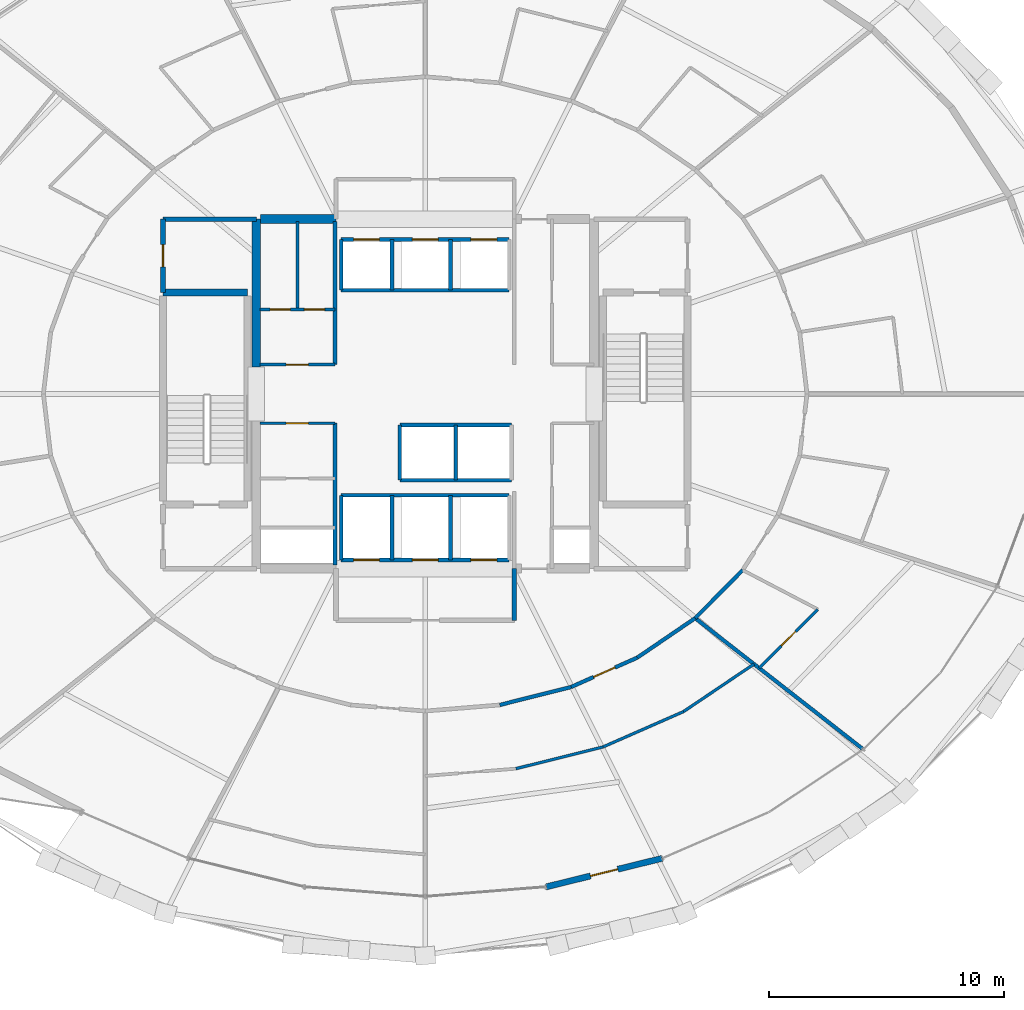
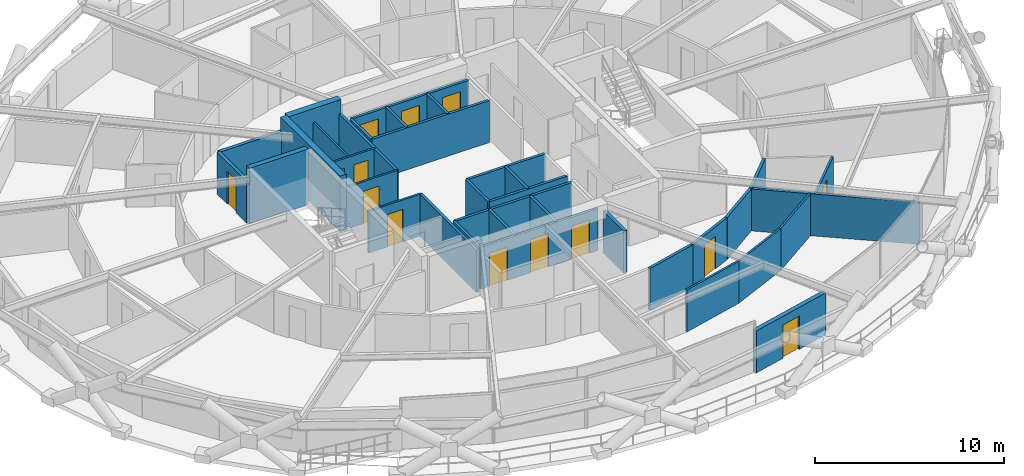
# One storey, part 15 of 21: 36 walls, 14 doors, 14 openings.
"""IFC4 building model written with IfcOpenShell, lengths in metres."""

import ifcopenshell
import ifcopenshell.guid

model = None  # the IFC model being written
_history = None  # IfcOwnerHistory: only IFC2X3 demands one
_inside = {}  # id of a spatial element -> (the spatial element, [elements in it])
_under = {}  # id of a project, library or spatial element -> (it, [spatial elements below it])
_declared = {}  # id of a project -> (the project, [libraries it declares])
_typed = {}  # id of a type object -> (the type object, [elements of that type])
_made_of = {}  # id of a material, layer set ... -> (it, [elements and type objects made of it])


def new_model(schema):
    """Start an empty IFC model of exactly this schema.

    Asked for "IFC4X3", IfcOpenShell would pick the latest addendum, in which some entities
    have other attributes; the version numbers below select the first issue.
    IFC2X3 requires an IfcOwnerHistory on every rooted entity: one is made here for all.
    """
    global model, _history
    if schema == "IFC4X3":
        model = ifcopenshell.file(schema_version=(4, 3, 0, 0))
    else:
        model = ifcopenshell.file(schema=schema)
    _inside.clear()
    _under.clear()
    _declared.clear()
    _typed.clear()
    _made_of.clear()
    _history = None
    if model.schema == "IFC2X3":
        org = make("IfcOrganization", Name="unknown")
        user = make(
            "IfcPersonAndOrganization",
            ThePerson=make("IfcPerson", FamilyName="unknown"),
            TheOrganization=org,
        )
        app = make(
            "IfcApplication",
            ApplicationDeveloper=org,
            Version="unknown",
            ApplicationFullName="unknown",
            ApplicationIdentifier="unknown",
        )
        _history = make(
            "IfcOwnerHistory",
            OwningUser=user,
            OwningApplication=app,
            ChangeAction="ADDED",
            CreationDate=0,
        )
    return model


def make(cls, **values):
    """One entity of the class cls with the attributes given. An attribute that is None is left unset."""
    return model.create_entity(
        cls, **{name: value for name, value in values.items() if value is not None}
    )


def rooted(cls, **values):
    """An entity with a GlobalId (a new one), such as an element, a storey or a relation."""
    return make(cls, GlobalId=ifcopenshell.guid.new(), OwnerHistory=_history, **values)


def si_unit(unit_type, name, prefix=None):
    """IfcSIUnit, for example si_unit("LENGTHUNIT", "METRE", prefix="MILLI")."""
    return make("IfcSIUnit", UnitType=unit_type, Prefix=prefix, Name=name)


def assignment(units):
    """IfcUnitAssignment: the units of a project."""
    return None if units is None else make("IfcUnitAssignment", Units=units)


def point(xyz):
    """IfcCartesianPoint."""
    return None if xyz is None else make("IfcCartesianPoint", Coordinates=xyz)


def direction(xyz):
    """IfcDirection."""
    return None if xyz is None else make("IfcDirection", DirectionRatios=xyz)


def frame(location, z_axis=None, x_axis=None):
    """IfcAxis2Placement3D, a coordinate frame: its origin and axes. An axis left out is left unset."""
    return make(
        "IfcAxis2Placement3D",
        Location=point(location),
        Axis=direction(z_axis),
        RefDirection=direction(x_axis),
    )


def frame_2d(location, x_axis=None):
    """IfcAxis2Placement2D, a coordinate frame in the plane: its origin and x axis."""
    return make(
        "IfcAxis2Placement2D", Location=point(location), RefDirection=direction(x_axis)
    )


def origin():
    """The frame at (0, 0, 0) with its axes left unset."""
    return frame((0.0, 0.0, 0.0))


def place(relative_to, where):
    """IfcLocalPlacement: puts the frame where relative to a parent placement (None: the world)."""
    return make(
        "IfcLocalPlacement", PlacementRelTo=relative_to, RelativePlacement=where
    )


def context(
    kind, dimensions, precision=None, world=None, true_north=None, identifier=None
):
    """IfcGeometricRepresentationContext, for example the 3D "Model" context."""
    return make(
        "IfcGeometricRepresentationContext",
        ContextIdentifier=identifier,
        ContextType=kind,
        CoordinateSpaceDimension=dimensions,
        Precision=precision,
        WorldCoordinateSystem=world,
        TrueNorth=true_north,
    )


def subcontext(parent, identifier, kind, view, scale=None):
    """IfcGeometricRepresentationSubContext, for example "Body" below "Model"."""
    return make(
        "IfcGeometricRepresentationSubContext",
        ContextIdentifier=identifier,
        ContextType=kind,
        ParentContext=parent,
        TargetScale=scale,
        TargetView=view,
    )


def project(units=None, contexts=None):
    """IfcProject with its units and contexts."""
    return rooted(
        "IfcProject",
        Name="project",
        RepresentationContexts=contexts,
        UnitsInContext=assignment(units),
    )


def spatial(cls, under=None, at=None, **own):
    """A site, building, storey or space (cls), placed at a placement, below another one or the project."""
    s = rooted(cls, ObjectPlacement=at, **own)
    if under is not None:
        _under.setdefault(under.id(), (under, []))[1].append(s)
    return s


def profile(cls, at=None, kind="AREA", **sizes):
    """A parametric profile (cls). Its sizes go by their IFC names, for example OverallWidth=200.0."""
    return make(cls, ProfileType=kind, Position=at, **sizes)


def rectangle(**sizes):
    """IfcRectangleProfileDef."""
    return profile("IfcRectangleProfileDef", **sizes)


def extrude(swept, where, along, depth):
    """IfcExtrudedAreaSolid: the profile swept, set in the frame where, extruded along a direction by depth."""
    return make(
        "IfcExtrudedAreaSolid",
        SweptArea=swept,
        Position=where,
        ExtrudedDirection=direction(along),
        Depth=depth,
    )


def shape(context_of_items, identifier, shape_type, items):
    """IfcShapeRepresentation: the items that make up one representation, for example the "Body"."""
    return make(
        "IfcShapeRepresentation",
        ContextOfItems=context_of_items,
        RepresentationIdentifier=identifier,
        RepresentationType=shape_type,
        Items=items,
    )


def material(Name=None, Category=None):
    """IfcMaterial."""
    return make("IfcMaterial", Name=Name, Category=Category)


def layer(
    of_material, thickness, ventilated=None, Name=None, Category=None, Priority=None
):
    """IfcMaterialLayer: one layer of a wall or slab, of a material (None: an air gap)."""
    return make(
        "IfcMaterialLayer",
        Material=of_material,
        LayerThickness=thickness,
        IsVentilated=ventilated,
        Name=Name,
        Category=Category,
        Priority=Priority,
    )


def layer_set(layers, Name=None):
    """IfcMaterialLayerSet."""
    return make("IfcMaterialLayerSet", MaterialLayers=layers, LayerSetName=Name)


def made_of(thing, what):
    """Note that an element or type object is made of a material, layer set ...; save() writes the relation."""
    if what is not None:
        _made_of.setdefault(what.id(), (what, []))[1].append(thing)
    return thing


def type_object(cls, material=None, **own):
    """A type object (cls), such as IfcWallType, which elements share."""
    return made_of(rooted(cls, **own), material)


def element(
    cls,
    number,
    at=None,
    inside=None,
    cuts=None,
    type_object=None,
    material=None,
    context=None,
    identifier="Body",
    shape_type=None,
    held_by="IfcProductDefinitionShape",
    body=None,
    shapes=None,
    **own,
):
    """One element of the class cls, such as IfcWall. Its Tag is "e" and its number.

    at: its placement. inside: the storey or other place that contains it. cuts: it is an
    opening in that element (IfcRelVoidsElement). A single representation is given by context,
    identifier, shape_type and body (its items); several are given by shapes. held_by: the class
    of the entity that holds the representations. save() writes the other relations.
    """
    e = rooted(cls, Tag="e%d" % number, ObjectPlacement=at, **own)
    if body is not None:
        shapes = [shape(context, identifier, shape_type, body)]
    if shapes is not None:
        e.Representation = make(held_by, Representations=shapes)
    if inside is not None:
        _inside.setdefault(inside.id(), (inside, []))[1].append(e)
    if cuts is not None:
        rooted(
            "IfcRelVoidsElement", RelatingBuildingElement=cuts, RelatedOpeningElement=e
        )
    if type_object is not None:
        _typed.setdefault(type_object.id(), (type_object, []))[1].append(e)
    return made_of(e, material)


def fill(opening, filler):
    """IfcRelFillsElement: the door or window that sits in an opening."""
    return rooted(
        "IfcRelFillsElement",
        RelatingOpeningElement=opening,
        RelatedBuildingElement=filler,
    )


def aggregate(whole, parts):
    """IfcRelAggregates: a whole, such as a stair, and the parts it consists of."""
    return rooted("IfcRelAggregates", RelatingObject=whole, RelatedObjects=parts)


def save(model, path):
    """Write the relations noted so far, then the file.

    IfcRelAggregates (storeys below a building ...), IfcRelContainedInSpatialStructure (elements
    in a storey), IfcRelDefinesByType, IfcRelAssociatesMaterial and IfcRelDeclares: one each for
    every whole, place, type object, material and project.
    """
    for whole, parts in _under.values():
        aggregate(whole, parts)
    for where, things in _inside.values():
        rooted(
            "IfcRelContainedInSpatialStructure",
            RelatedElements=things,
            RelatingStructure=where,
        )
    for kind, things in _typed.values():
        rooted("IfcRelDefinesByType", RelatedObjects=things, RelatingType=kind)
    for what, things in _made_of.values():
        rooted("IfcRelAssociatesMaterial", RelatedObjects=things, RelatingMaterial=what)
    for by, libraries in _declared.values():
        rooted("IfcRelDeclares", RelatingContext=by, RelatedDefinitions=libraries)
    model.write(path)


model = new_model("IFC4")

# Units and contexts
model_context = context("Model", 3, precision=1e-05, world=origin(), true_north=direction((0.0, 1.0)))
body_context = subcontext(model_context, "Body", "Model", "MODEL_VIEW")
ifc_project = project(units=[si_unit("LENGTHUNIT", "METRE"), si_unit("AREAUNIT", "SQUARE_METRE"), si_unit("VOLUMEUNIT", "CUBIC_METRE"), si_unit("PLANEANGLEUNIT", "RADIAN"), si_unit("MASSUNIT", "GRAM", prefix="KILO")], contexts=[model_context])

# Site, building, storey
site_placement = place(None, origin())
site = spatial("IfcSite", under=ifc_project, at=site_placement, CompositionType="ELEMENT")
building_placement = place(site_placement, origin())
building = spatial("IfcBuilding", under=site, at=building_placement, Name="Veldorina Hangang Commons", CompositionType="ELEMENT")
storey_placement = place(building_placement, frame((0.0, 0.0, 91.60009765625)))
storey = spatial("IfcBuildingStorey", under=building, at=storey_placement, Name="L23", CompositionType="ELEMENT", Elevation=91.60009765625)

# Walls
ifc_material_1 = material(Name="Concrete C70/85", Category="concrete")
ifc_layer_1 = layer(ifc_material_1, 0.3798828125)
ifc_layer_set_1 = layer_set([ifc_layer_1], Name="Concrete C70/85")
wall_type_1 = type_object("IfcWallType", Name="CW-RC380-C70", PredefinedType="SHEAR", material=ifc_layer_set_1)
wall_1_placement = place(storey_placement, frame((24.800048828125, 25.14990234375, 0.0), z_axis=(0.0, 0.0, 1.0), x_axis=(0.0, 1.0, 0.0)))
element("IfcWall", 1, at=wall_1_placement, inside=storey, type_object=wall_type_1, Name="L23 W north core shear wall", PredefinedType="SHEAR", context=body_context, shape_type="SweptSolid", body=[
    extrude(rectangle(XDim=6.300048828125, YDim=0.3798828125, at=frame_2d((3.14990234375, 0.0))), origin(), (0.0, 0.0, 1.0), 3.599853515625),
])
wall_2_placement = place(storey_placement, frame((24.989990234375, 31.449951171875, 0.0), z_axis=(0.0, 0.0, 1.0), x_axis=(1.0, 0.0, 0.0)))
element("IfcWall", 2, at=wall_2_placement, inside=storey, type_object=wall_type_1, Name="L23 north-west core shear wall", PredefinedType="SHEAR", context=body_context, shape_type="SweptSolid", body=[
    extrude(rectangle(XDim=3.2099609375, YDim=0.3798828125, at=frame_2d((1.60498046875, 0.0))), origin(), (0.0, 0.0, 1.0), 3.599853515625),
])

# Wall, opening, door
ifc_material_2 = material(Name="Stone Roman Travertine", Category="masonry")
ifc_layer_2 = layer(ifc_material_2, 0.260009765625)
ifc_layer_set_2 = layer_set([ifc_layer_2], Name="Stone Roman Travertine")
wall_type_2 = type_object("IfcWallType", Name="EW-LOGGIA-260", PredefinedType="STANDARD", material=ifc_layer_set_2)
wall_3_placement = place(storey_placement, frame((37.150634765625, 2.98681640625, 0.0), z_axis=(0.0, 0.0, 1.0), x_axis=(0.971022910957, 0.23898641467, 0.0)))
wall_3 = element("IfcWall", 3, at=wall_3_placement, inside=storey, type_object=wall_type_2, Name="L23 sky-garden loggia portal wall 25", PredefinedType="STANDARD", context=body_context, shape_type="SweptSolid", body=[
    extrude(rectangle(XDim=5.1005859375, YDim=0.260009765625, at=frame_2d((2.55029296875, 0.0))), origin(), (0.0, 0.0, 1.0), 2.7099609375),
])
opening_1_placement = place(wall_3_placement, frame((1.9501953125, 0.0, 0.0)))
opening_1 = element("IfcOpeningElement", 4, at=opening_1_placement, cuts=wall_3, Name="Opening BD-1200", PredefinedType="OPENING", context=body_context, shape_type="SweptSolid", body=[
    extrude(rectangle(XDim=1.199951171875, YDim=2.14990234375, at=frame_2d((0.60009765625, 1.074951171875))), frame((0.0, 0.14013671875, 0.0), z_axis=(0.0, -1.0, 0.0), x_axis=(1.0, 0.0, 0.0)), (0.0, 0.0, 1.0), 0.280029296875),
])
ifc_material_3 = material(Name="Glass Thermal Aluminium Frame", Category="aluminium")
door_type_1 = type_object("IfcDoorType", Name="DR-EXT-LOG1200", OperationType="SINGLE_SWING_LEFT", PredefinedType="DOOR", material=ifc_material_3)
door_1_placement = place(opening_1_placement, origin())
door_1 = element("IfcDoor", 5, at=door_1_placement, inside=storey, type_object=door_type_1, Name="L23 loggia glazed exterior door 25", OperationType="SINGLE_SWING_RIGHT", OverallHeight=2.14990234375, OverallWidth=1.199951171875, PredefinedType="DOOR", context=body_context, shape_type="SweptSolid", body=[
    extrude(rectangle(XDim=1.199951171875, YDim=2.14990234375, at=frame_2d((0.60009765625, 1.074951171875))), frame((0.0, 0.02490234375, 0.0), z_axis=(0.0, -1.0, 0.0), x_axis=(1.0, 0.0, 0.0)), (0.0, 0.0, 1.0), 0.050048828125),
])
fill(opening_1, door_1)

# Wall
ifc_material_4 = material(Name="Concrete C50/60", Category="concrete")
ifc_layer_3 = layer(ifc_material_4, 0.300048828125)
ifc_layer_set_3 = layer_set([ifc_layer_3], Name="Concrete C50/60")
wall_type_3 = type_object("IfcWallType", Name="SW-STAIR-300", PredefinedType="SHEAR", material=ifc_layer_set_3)
wall_4_placement = place(storey_placement, frame((20.820068359375, 28.320068359375, 0.0), z_axis=(0.0, 0.0, 1.0), x_axis=(1.0, 0.0, 0.0)))
element("IfcWall", 6, at=wall_4_placement, inside=storey, type_object=wall_type_3, Name="L23 ST1 north stair shear wall", PredefinedType="SHEAR", context=body_context, shape_type="SweptSolid", body=[
    extrude(rectangle(XDim=3.599853515625, YDim=0.300048828125, at=frame_2d((1.7998046875, 0.0))), origin(), (0.0, 0.0, 1.0), 3.599853515625),
])

# Wall, openings, doors
ifc_material_5 = material(Name="Gypsum Fire-Rated Twin Stud Wall", Category="gypsum")
ifc_layer_4 = layer(ifc_material_5, 0.159912109375)
ifc_layer_set_4 = layer_set([ifc_layer_4], Name="Gypsum Fire-Rated Twin Stud Wall")
wall_type_4 = type_object("IfcWallType", Name="WL-FIRE-160", PredefinedType="SOLIDWALL", material=ifc_layer_set_4)
wall_5_placement = place(storey_placement, frame((28.419921875, 30.580078125, 0.0), z_axis=(0.0, 0.0, 1.0), x_axis=(1.0, 0.0, 0.0)))
wall_5 = element("IfcWall", 7, at=wall_5_placement, inside=storey, type_object=wall_type_4, Name="L23 Low-bank front shaft wall 015", PredefinedType="SOLIDWALL", context=body_context, shape_type="SweptSolid", body=[
    extrude(rectangle(XDim=7.16015625, YDim=0.159912109375, at=frame_2d((3.580078125, 0.0))), origin(), (0.0, 0.0, 1.0), 2.7099609375),
])
opening_2_placement = place(wall_5_placement, frame((0.530029296875, 0.0, 0.0)))
opening_2 = element("IfcOpeningElement", 8, at=opening_2_placement, cuts=wall_5, Name="Opening LD-01", PredefinedType="OPENING", context=body_context, shape_type="SweptSolid", body=[
    extrude(rectangle(XDim=1.10009765625, YDim=2.14990234375, at=frame_2d((0.550048828125, 1.074951171875))), frame((0.0, 0.08984375, 0.0), z_axis=(0.0, -1.0, 0.0), x_axis=(1.0, 0.0, 0.0)), (0.0, 0.0, 1.0), 0.179931640625),
])
opening_3_placement = place(wall_5_placement, frame((3.030029296875, 0.0, 0.0)))
opening_3 = element("IfcOpeningElement", 9, at=opening_3_placement, cuts=wall_5, Name="Opening LD-01", PredefinedType="OPENING", context=body_context, shape_type="SweptSolid", body=[
    extrude(rectangle(XDim=1.10009765625, YDim=2.14990234375, at=frame_2d((0.550048828125, 1.074951171875))), frame((0.0, 0.08984375, 0.0), z_axis=(0.0, -1.0, 0.0), x_axis=(1.0, 0.0, 0.0)), (0.0, 0.0, 1.0), 0.179931640625),
])
opening_4_placement = place(wall_5_placement, frame((5.530029296875, 0.0, 0.0)))
opening_4 = element("IfcOpeningElement", 10, at=opening_4_placement, cuts=wall_5, Name="Opening LD-01", PredefinedType="OPENING", context=body_context, shape_type="SweptSolid", body=[
    extrude(rectangle(XDim=1.10009765625, YDim=2.14990234375, at=frame_2d((0.550048828125, 1.074951171875))), frame((0.0, 0.08984375, 0.0), z_axis=(0.0, -1.0, 0.0), x_axis=(1.0, 0.0, 0.0)), (0.0, 0.0, 1.0), 0.179931640625),
])
ifc_material_6 = material(Name="Stainless Steel Brushed Lift Door", Category="steel")
door_type_2 = type_object("IfcDoorType", Name="DR-LIFT-1100", OperationType="SLIDING_TO_LEFT", PredefinedType="DOOR", material=ifc_material_6)
door_2_placement = place(opening_2_placement, origin())
door_2 = element("IfcDoor", 11, at=door_2_placement, inside=storey, type_object=door_type_2, Name="L23 Lift PL-L1 landing door 006", OperationType="SLIDING_TO_LEFT", OverallHeight=2.14990234375, OverallWidth=1.10009765625, PredefinedType="DOOR", context=body_context, shape_type="SweptSolid", body=[
    extrude(rectangle(XDim=1.10009765625, YDim=2.14990234375, at=frame_2d((0.550048828125, 1.074951171875))), frame((0.0, 0.02490234375, 0.0), z_axis=(0.0, -1.0, 0.0), x_axis=(1.0, 0.0, 0.0)), (0.0, 0.0, 1.0), 0.050048828125),
])
fill(opening_2, door_2)
door_3_placement = place(opening_3_placement, origin())
door_3 = element("IfcDoor", 12, at=door_3_placement, inside=storey, type_object=door_type_2, Name="L23 Lift PL-L2 landing door 007", OperationType="SLIDING_TO_LEFT", OverallHeight=2.14990234375, OverallWidth=1.10009765625, PredefinedType="DOOR", context=body_context, shape_type="SweptSolid", body=[
    extrude(rectangle(XDim=1.10009765625, YDim=2.14990234375, at=frame_2d((0.550048828125, 1.074951171875))), frame((0.0, 0.02490234375, 0.0), z_axis=(0.0, -1.0, 0.0), x_axis=(1.0, 0.0, 0.0)), (0.0, 0.0, 1.0), 0.050048828125),
])
fill(opening_3, door_3)
door_4_placement = place(opening_4_placement, origin())
door_4 = element("IfcDoor", 13, at=door_4_placement, inside=storey, type_object=door_type_2, Name="L23 Lift PL-L3 landing door 008", OperationType="SLIDING_TO_LEFT", OverallHeight=2.14990234375, OverallWidth=1.10009765625, PredefinedType="DOOR", context=body_context, shape_type="SweptSolid", body=[
    extrude(rectangle(XDim=1.10009765625, YDim=2.14990234375, at=frame_2d((0.550048828125, 1.074951171875))), frame((0.0, 0.02490234375, 0.0), z_axis=(0.0, -1.0, 0.0), x_axis=(1.0, 0.0, 0.0)), (0.0, 0.0, 1.0), 0.050048828125),
])
fill(opening_4, door_4)

# Walls
wall_6_placement = place(storey_placement, frame((28.419921875, 28.419921875, 0.0), z_axis=(0.0, 0.0, 1.0), x_axis=(1.0, 0.0, 0.0)))
element("IfcWall", 14, at=wall_6_placement, inside=storey, type_object=wall_type_4, Name="L23 Low-bank rear shaft wall 016", PredefinedType="SOLIDWALL", context=body_context, shape_type="SweptSolid", body=[
    extrude(rectangle(XDim=7.16015625, YDim=0.159912109375, at=frame_2d((3.580078125, 0.0))), origin(), (0.0, 0.0, 1.0), 2.7099609375),
])
for number, where, z_axis, x_axis, name in (
    (15, (28.419921875, 28.419921875, 0.0), (0.0, 0.0, 1.0), (0.0, 1.0, 0.0), "L23 PL-L1 west shaft wall 017"),
    (16, (30.580078125, 28.419921875, 0.0), (0.0, 0.0, 1.0), (0.0, 1.0, 0.0), "L23 PL-L1 east shaft wall 018"),
    (17, (33.080078125, 28.419921875, 0.0), (0.0, 0.0, 1.0), (0.0, 1.0, 0.0), "L23 PL-L2 east shaft wall 019"),
):
    element("IfcWall", number, at=place(storey_placement, frame(where, z_axis=z_axis, x_axis=x_axis)), inside=storey, type_object=wall_type_4, Name=name, PredefinedType="SOLIDWALL", context=body_context, shape_type="SweptSolid", body=[
        extrude(rectangle(XDim=2.16015625, YDim=0.159912109375, at=frame_2d((1.080078125, 0.0))), origin(), (0.0, 0.0, 1.0), 2.7099609375),
    ])
for number, where, z_axis, x_axis, name in (
    (18, (30.919921875, 22.679931640625, 0.0), (0.0, 0.0, 1.0), (1.0, 0.0, 0.0), "L23 Shuttle-high front shaft wall 021"),
    (19, (30.919921875, 20.320068359375, 0.0), (0.0, 0.0, 1.0), (1.0, 0.0, 0.0), "L23 Shuttle-high rear shaft wall 022"),
):
    element("IfcWall", number, at=place(storey_placement, frame(where, z_axis=z_axis, x_axis=x_axis)), inside=storey, type_object=wall_type_4, Name=name, PredefinedType="SOLIDWALL", context=body_context, shape_type="SweptSolid", body=[
        extrude(rectangle(XDim=4.760009765625, YDim=0.159912109375, at=frame_2d((2.3798828125, 0.0))), origin(), (0.0, 0.0, 1.0), 2.7099609375),
    ])
for number, where, z_axis, x_axis, name in (
    (20, (30.919921875, 20.320068359375, 0.0), (0.0, 0.0, 1.0), (0.0, 1.0, 0.0), "L23 SL-1 west shaft wall 023"),
    (21, (33.300048828125, 20.320068359375, 0.0), (0.0, 0.0, 1.0), (0.0, 1.0, 0.0), "L23 SL-1 east shaft wall 024"),
):
    element("IfcWall", number, at=place(storey_placement, frame(where, z_axis=z_axis, x_axis=x_axis)), inside=storey, type_object=wall_type_4, Name=name, PredefinedType="SOLIDWALL", context=body_context, shape_type="SweptSolid", body=[
        extrude(rectangle(XDim=2.35986328125, YDim=0.159912109375, at=frame_2d((1.179931640625, 0.0))), origin(), (0.0, 0.0, 1.0), 2.7099609375),
    ])

# Wall, openings, doors
wall_7_placement = place(storey_placement, frame((28.419921875, 16.919921875, 0.0), z_axis=(0.0, 0.0, 1.0), x_axis=(1.0, 0.0, 0.0)))
wall_7 = element("IfcWall", 22, at=wall_7_placement, inside=storey, type_object=wall_type_4, Name="L23 Emergency front shaft wall 026", PredefinedType="SOLIDWALL", context=body_context, shape_type="SweptSolid", body=[
    extrude(rectangle(XDim=7.16015625, YDim=0.159912109375, at=frame_2d((3.580078125, 0.0))), origin(), (0.0, 0.0, 1.0), 2.7099609375),
])
opening_5_placement = place(wall_7_placement, frame((0.530029296875, 0.0, 0.0)))
opening_5 = element("IfcOpeningElement", 23, at=opening_5_placement, cuts=wall_7, Name="Opening LD-03", PredefinedType="OPENING", context=body_context, shape_type="SweptSolid", body=[
    extrude(rectangle(XDim=1.10009765625, YDim=2.14990234375, at=frame_2d((0.550048828125, 1.074951171875))), frame((0.0, 0.08984375, 0.0), z_axis=(0.0, -1.0, 0.0), x_axis=(1.0, 0.0, 0.0)), (0.0, 0.0, 1.0), 0.179931640625),
])
opening_6_placement = place(wall_7_placement, frame((3.030029296875, 0.0, 0.0)))
opening_6 = element("IfcOpeningElement", 24, at=opening_6_placement, cuts=wall_7, Name="Opening LD-03", PredefinedType="OPENING", context=body_context, shape_type="SweptSolid", body=[
    extrude(rectangle(XDim=1.10009765625, YDim=2.14990234375, at=frame_2d((0.550048828125, 1.074951171875))), frame((0.0, 0.08984375, 0.0), z_axis=(0.0, -1.0, 0.0), x_axis=(1.0, 0.0, 0.0)), (0.0, 0.0, 1.0), 0.179931640625),
])
opening_7_placement = place(wall_7_placement, frame((5.530029296875, 0.0, 0.0)))
opening_7 = element("IfcOpeningElement", 25, at=opening_7_placement, cuts=wall_7, Name="Opening LD-03", PredefinedType="OPENING", context=body_context, shape_type="SweptSolid", body=[
    extrude(rectangle(XDim=1.10009765625, YDim=2.14990234375, at=frame_2d((0.550048828125, 1.074951171875))), frame((0.0, 0.08984375, 0.0), z_axis=(0.0, -1.0, 0.0), x_axis=(1.0, 0.0, 0.0)), (0.0, 0.0, 1.0), 0.179931640625),
])
ifc_material_7 = material(Name="Stainless Steel Firefighting Lift Door", Category="steel")
door_type_3 = type_object("IfcDoorType", Name="DR-LIFT-FF1100", OperationType="SLIDING_TO_RIGHT", PredefinedType="DOOR", material=ifc_material_7)
door_5_placement = place(opening_5_placement, origin())
door_5 = element("IfcDoor", 26, at=door_5_placement, inside=storey, type_object=door_type_3, Name="L23 Emergency lift FFL-1 landing door 009", OperationType="SLIDING_TO_RIGHT", OverallHeight=2.14990234375, OverallWidth=1.10009765625, PredefinedType="DOOR", context=body_context, shape_type="SweptSolid", body=[
    extrude(rectangle(XDim=1.10009765625, YDim=2.14990234375, at=frame_2d((0.550048828125, 1.074951171875))), frame((0.0, 0.02490234375, 0.0), z_axis=(0.0, -1.0, 0.0), x_axis=(1.0, 0.0, 0.0)), (0.0, 0.0, 1.0), 0.050048828125),
])
fill(opening_5, door_5)
door_6_placement = place(opening_6_placement, origin())
door_6 = element("IfcDoor", 27, at=door_6_placement, inside=storey, type_object=door_type_3, Name="L23 Emergency lift FFL-2 landing door 010", OperationType="SLIDING_TO_RIGHT", OverallHeight=2.14990234375, OverallWidth=1.10009765625, PredefinedType="DOOR", context=body_context, shape_type="SweptSolid", body=[
    extrude(rectangle(XDim=1.10009765625, YDim=2.14990234375, at=frame_2d((0.550048828125, 1.074951171875))), frame((0.0, 0.02490234375, 0.0), z_axis=(0.0, -1.0, 0.0), x_axis=(1.0, 0.0, 0.0)), (0.0, 0.0, 1.0), 0.050048828125),
])
fill(opening_6, door_6)
door_7_placement = place(opening_7_placement, origin())
door_7 = element("IfcDoor", 28, at=door_7_placement, inside=storey, type_object=door_type_3, Name="L23 Emergency lift EVL-1 landing door 011", OperationType="SLIDING_TO_RIGHT", OverallHeight=2.14990234375, OverallWidth=1.10009765625, PredefinedType="DOOR", context=body_context, shape_type="SweptSolid", body=[
    extrude(rectangle(XDim=1.10009765625, YDim=2.14990234375, at=frame_2d((0.550048828125, 1.074951171875))), frame((0.0, 0.02490234375, 0.0), z_axis=(0.0, -1.0, 0.0), x_axis=(1.0, 0.0, 0.0)), (0.0, 0.0, 1.0), 0.050048828125),
])
fill(opening_7, door_7)

# Walls
wall_8_placement = place(storey_placement, frame((28.419921875, 19.679931640625, 0.0), z_axis=(0.0, 0.0, 1.0), x_axis=(1.0, 0.0, 0.0)))
element("IfcWall", 29, at=wall_8_placement, inside=storey, type_object=wall_type_4, Name="L23 Emergency rear shaft wall 027", PredefinedType="SOLIDWALL", context=body_context, shape_type="SweptSolid", body=[
    extrude(rectangle(XDim=7.16015625, YDim=0.159912109375, at=frame_2d((3.580078125, 0.0))), origin(), (0.0, 0.0, 1.0), 2.7099609375),
])
for number, where, z_axis, x_axis, name in (
    (30, (28.419921875, 16.919921875, 0.0), (0.0, 0.0, 1.0), (0.0, 1.0, 0.0), "L23 FFL-1 west shaft wall 028"),
    (31, (30.580078125, 16.919921875, 0.0), (0.0, 0.0, 1.0), (0.0, 1.0, 0.0), "L23 FFL-1 east shaft wall 029"),
    (32, (33.080078125, 16.919921875, 0.0), (0.0, 0.0, 1.0), (0.0, 1.0, 0.0), "L23 FFL-2 east shaft wall 030"),
):
    element("IfcWall", number, at=place(storey_placement, frame(where, z_axis=z_axis, x_axis=x_axis)), inside=storey, type_object=wall_type_4, Name=name, PredefinedType="SOLIDWALL", context=body_context, shape_type="SweptSolid", body=[
        extrude(rectangle(XDim=2.760009765625, YDim=0.159912109375, at=frame_2d((1.3798828125, 0.0))), origin(), (0.0, 0.0, 1.0), 2.7099609375),
    ])
wall_9_placement = place(storey_placement, frame((28.14990234375, 16.699951171875, 0.0), z_axis=(0.0, 0.0, 1.0), x_axis=(0.0, 1.0, 0.0)))
element("IfcWall", 33, at=wall_9_placement, inside=storey, type_object=wall_type_4, Name="L23 SW core inner wall 036", PredefinedType="SOLIDWALL", context=body_context, shape_type="SweptSolid", body=[
    extrude(rectangle(XDim=6.050048828125, YDim=0.159912109375, at=frame_2d((3.02490234375, 0.0))), origin(), (0.0, 0.0, 1.0), 2.7099609375),
])
wall_10_placement = place(storey_placement, frame((28.14990234375, 25.25, 0.0), z_axis=(0.0, 0.0, 1.0), x_axis=(0.0, 1.0, 0.0)))
element("IfcWall", 34, at=wall_10_placement, inside=storey, type_object=wall_type_4, Name="L23 NW core inner wall 038", PredefinedType="SOLIDWALL", context=body_context, shape_type="SweptSolid", body=[
    extrude(rectangle(XDim=6.10009765625, YDim=0.159912109375, at=frame_2d((3.050048828125, 0.0))), origin(), (0.0, 0.0, 1.0), 2.7099609375),
])
wall_11_placement = place(storey_placement, frame((35.1748046875, 10.74169921875, 0.0), z_axis=(0.0, 0.0, 1.0), x_axis=(0.969689238064, 0.244341526521, 0.0)))
element("IfcWall", 35, at=wall_11_placement, inside=storey, type_object=wall_type_4, Name="L23 Corridor outer wall 25 073", PredefinedType="SOLIDWALL", context=body_context, shape_type="SweptSolid", body=[
    extrude(rectangle(XDim=3.1484375, YDim=0.159912109375, at=frame_2d((1.57421875, 0.0))), origin(), (0.0, 0.0, 1.0), 2.7099609375),
])

# Wall, opening, door
wall_12_placement = place(storey_placement, frame((38.227783203125, 11.510986328125, 0.0), z_axis=(0.0, 0.0, 1.0), x_axis=(0.913952123493, 0.405822024984, 0.0)))
wall_12 = element("IfcWall", 36, at=wall_12_placement, inside=storey, type_object=wall_type_4, Name="L23 Corridor outer wall 26 074", PredefinedType="SOLIDWALL", context=body_context, shape_type="SweptSolid", body=[
    extrude(rectangle(XDim=3.078369140625, YDim=0.159912109375, at=frame_2d((1.5390625, 0.0))), origin(), (0.0, 0.0, 1.0), 2.7099609375),
])
opening_8_placement = place(wall_12_placement, frame((1.039306640625, 0.0, 0.0)))
opening_8 = element("IfcOpeningElement", 37, at=opening_8_placement, cuts=wall_12, Name="Opening D-05", PredefinedType="OPENING", context=body_context, shape_type="SweptSolid", body=[
    extrude(rectangle(XDim=1.0, YDim=2.10009765625, at=frame_2d((0.5, 1.050048828125))), frame((0.0, 0.08984375, 0.0), z_axis=(0.0, -1.0, 0.0), x_axis=(1.0, 0.0, 0.0)), (0.0, 0.0, 1.0), 0.179931640625),
])
ifc_material_8 = material(Name="Timber Solid Core Acoustic", Category="wood")
door_type_4 = type_object("IfcDoorType", Name="DR-INT-1000", OperationType="SINGLE_SWING_RIGHT", PredefinedType="DOOR", material=ifc_material_8)
door_8_placement = place(opening_8_placement, origin())
door_8 = element("IfcDoor", 38, at=door_8_placement, inside=storey, type_object=door_type_4, Name="L23 Commons alcove door 020", OperationType="SINGLE_SWING_RIGHT", OverallHeight=2.10009765625, OverallWidth=1.0, PredefinedType="DOOR", context=body_context, shape_type="SweptSolid", body=[
    extrude(rectangle(XDim=1.0, YDim=2.10009765625, at=frame_2d((0.5, 1.050048828125))), frame((0.0, 0.02490234375, 0.0), z_axis=(0.0, -1.0, 0.0), x_axis=(1.0, 0.0, 0.0)), (0.0, 0.0, 1.0), 0.050048828125),
])
fill(opening_8, door_8)

# Walls
wall_13_placement = place(storey_placement, frame((41.041259765625, 12.76025390625, 0.0), z_axis=(0.0, 0.0, 1.0), x_axis=(0.826293096206, 0.56324037423, 0.0)))
element("IfcWall", 39, at=wall_13_placement, inside=storey, type_object=wall_type_4, Name="L23 Corridor outer wall 27 075", PredefinedType="SOLIDWALL", context=body_context, shape_type="SweptSolid", body=[
    extrude(rectangle(XDim=2.98486328125, YDim=0.159912109375, at=frame_2d((1.492431640625, 0.0))), origin(), (0.0, 0.0, 1.0), 2.7099609375),
])
wall_14_placement = place(storey_placement, frame((43.507568359375, 14.44140625, 0.0), z_axis=(0.0, 0.0, 1.0), x_axis=(0.702811997, 0.711375636969, 0.0)))
element("IfcWall", 40, at=wall_14_placement, inside=storey, type_object=wall_type_4, Name="L23 Corridor outer wall 28 076", PredefinedType="SOLIDWALL", context=body_context, shape_type="SweptSolid", body=[
    extrude(rectangle(XDim=2.87939453125, YDim=0.159912109375, at=frame_2d((1.439697265625, 0.0))), origin(), (0.0, 0.0, 1.0), 2.7099609375),
])
wall_15_placement = place(storey_placement, frame((43.507568359375, 14.44140625, 0.0), z_axis=(0.0, 0.0, 1.0), x_axis=(0.788218918979, -0.615394942914, 0.0)))
element("IfcWall", 41, at=wall_15_placement, inside=storey, type_object=wall_type_4, Name="L23 Unit party wall 28 085", PredefinedType="SOLIDWALL", context=body_context, shape_type="SweptSolid", body=[
    extrude(rectangle(XDim=9.035400390625, YDim=0.159912109375, at=frame_2d((4.517578125, 0.0))), origin(), (0.0, 0.0, 1.0), 2.7099609375),
])

# Wall, opening, door
ifc_material_9 = material(Name="Concrete Blockwork Fire Wall C30/37", Category="masonry")
ifc_layer_5 = layer(ifc_material_9, 0.199951171875)
ifc_layer_set_5 = layer_set([ifc_layer_5], Name="Concrete Blockwork Fire Wall C30/37")
wall_type_5 = type_object("IfcWallType", Name="WL-FIRE-200", PredefinedType="SOLIDWALL", material=ifc_layer_set_5)
wall_16_placement = place(storey_placement, frame((20.820068359375, 28.320068359375, 0.0), z_axis=(0.0, 0.0, 1.0), x_axis=(0.0, 1.0, 0.0)))
wall_16 = element("IfcWall", 42, at=wall_16_placement, inside=storey, type_object=wall_type_5, Name="L23 NW core room outer wall 005", PredefinedType="SOLIDWALL", context=body_context, shape_type="SweptSolid", body=[
    extrude(rectangle(XDim=3.1298828125, YDim=0.199951171875, at=frame_2d((1.56494140625, 0.0))), origin(), (0.0, 0.0, 1.0), 2.7099609375),
])
opening_9_placement = place(wall_16_placement, frame((1.090087890625, 0.0, 0.0)))
opening_9 = element("IfcOpeningElement", 43, at=opening_9_placement, cuts=wall_16, Name="Opening D-04", PredefinedType="OPENING", context=body_context, shape_type="SweptSolid", body=[
    extrude(rectangle(XDim=0.949951171875, YDim=2.10009765625, at=frame_2d((0.47509765625, 1.050048828125))), frame((0.0, 0.10986328125, 0.0), z_axis=(0.0, -1.0, 0.0), x_axis=(1.0, 0.0, 0.0)), (0.0, 0.0, 1.0), 0.219970703125),
])
ifc_material_10 = material(Name="Timber Accessible Flush Leaf", Category="wood")
door_type_5 = type_object("IfcDoorType", Name="DR-ACC-950", OperationType="SINGLE_SWING_LEFT", PredefinedType="DOOR", material=ifc_material_10)
door_9_placement = place(opening_9_placement, origin())
door_9 = element("IfcDoor", 44, at=door_9_placement, inside=storey, type_object=door_type_5, Name="L23 NW core WC door 003", OperationType="SINGLE_SWING_LEFT", OverallHeight=2.10009765625, OverallWidth=0.949951171875, PredefinedType="DOOR", context=body_context, shape_type="SweptSolid", body=[
    extrude(rectangle(XDim=0.949951171875, YDim=2.10009765625, at=frame_2d((0.47509765625, 1.050048828125))), frame((0.0, 0.02490234375, 0.0), z_axis=(0.0, -1.0, 0.0), x_axis=(1.0, 0.0, 0.0)), (0.0, 0.0, 1.0), 0.050048828125),
])
fill(opening_9, door_9)

# Walls
wall_17_placement = place(storey_placement, frame((20.820068359375, 31.449951171875, 0.0), z_axis=(0.0, 0.0, 1.0), x_axis=(1.0, 0.0, 0.0)))
element("IfcWall", 45, at=wall_17_placement, inside=storey, type_object=wall_type_5, Name="L23 NW core room north wall 006", PredefinedType="SOLIDWALL", context=body_context, shape_type="SweptSolid", body=[
    extrude(rectangle(XDim=3.97998046875, YDim=0.199951171875, at=frame_2d((1.989990234375, 0.0))), origin(), (0.0, 0.0, 1.0), 2.7099609375),
])
wall_18_placement = place(storey_placement, frame((35.800048828125, 14.35009765625, 0.0), z_axis=(0.0, 0.0, 1.0), x_axis=(0.0, 1.0, 0.0)))
element("IfcWall", 46, at=wall_18_placement, inside=storey, type_object=wall_type_5, Name="L23 FF lobby east wall 013", PredefinedType="SOLIDWALL", context=body_context, shape_type="SweptSolid", body=[
    extrude(rectangle(XDim=2.199951171875, YDim=0.199951171875, at=frame_2d((1.10009765625, 0.0))), origin(), (0.0, 0.0, 1.0), 2.7099609375),
])

# Wall, opening, door
ifc_material_11 = material(Name="Gypsum Acoustic Stud Partition", Category="gypsum")
ifc_layer_6 = layer(ifc_material_11, 0.1201171875)
ifc_layer_set_6 = layer_set([ifc_layer_6], Name="Gypsum Acoustic Stud Partition")
wall_type_6 = type_object("IfcWallType", Name="WL-PART-120", PredefinedType="PARTITIONING", material=ifc_layer_set_6)
wall_19_placement = place(storey_placement, frame((24.949951171875, 25.25, 0.0), z_axis=(0.0, 0.0, 1.0), x_axis=(1.0, 0.0, 0.0)))
wall_19 = element("IfcWall", 47, at=wall_19_placement, inside=storey, type_object=wall_type_6, Name="L23 NW service south wall 039", PredefinedType="PARTITIONING", context=body_context, shape_type="SweptSolid", body=[
    extrude(rectangle(XDim=3.199951171875, YDim=0.1201171875, at=frame_2d((1.60009765625, 0.0))), origin(), (0.0, 0.0, 1.0), 2.7099609375),
])
opening_10_placement = place(wall_19_placement, frame((1.125, 0.0, 0.0)))
opening_10 = element("IfcOpeningElement", 48, at=opening_10_placement, cuts=wall_19, Name="Opening D-02", PredefinedType="OPENING", context=body_context, shape_type="SweptSolid", body=[
    extrude(rectangle(XDim=0.949951171875, YDim=2.10009765625, at=frame_2d((0.47509765625, 1.050048828125))), frame((0.0, 0.070068359375, 0.0), z_axis=(0.0, -1.0, 0.0), x_axis=(1.0, 0.0, 0.0)), (0.0, 0.0, 1.0), 0.14013671875),
])
door_type_6 = type_object("IfcDoorType", Name="DR-INT-950", OperationType="SINGLE_SWING_LEFT", PredefinedType="DOOR", material=ifc_material_8)
door_10_placement = place(opening_10_placement, origin())
door_10 = element("IfcDoor", 49, at=door_10_placement, inside=storey, type_object=door_type_6, Name="L23 Utility vestibule door 013", OperationType="SINGLE_SWING_LEFT", OverallHeight=2.10009765625, OverallWidth=0.949951171875, PredefinedType="DOOR", context=body_context, shape_type="SweptSolid", body=[
    extrude(rectangle(XDim=0.949951171875, YDim=2.10009765625, at=frame_2d((0.47509765625, 1.050048828125))), frame((0.0, 0.02490234375, 0.0), z_axis=(0.0, -1.0, 0.0), x_axis=(1.0, 0.0, 0.0)), (0.0, 0.0, 1.0), 0.050048828125),
])
fill(opening_10, door_10)

wall_20_placement = place(storey_placement, frame((24.949951171875, 22.75, 0.0), z_axis=(0.0, 0.0, 1.0), x_axis=(1.0, 0.0, 0.0)))
wall_20 = element("IfcWall", 50, at=wall_20_placement, inside=storey, type_object=wall_type_6, Name="L23 SW service north wall 040", PredefinedType="PARTITIONING", context=body_context, shape_type="SweptSolid", body=[
    extrude(rectangle(XDim=3.199951171875, YDim=0.1201171875, at=frame_2d((1.60009765625, 0.0))), origin(), (0.0, 0.0, 1.0), 2.7099609375),
])
opening_11_placement = place(wall_20_placement, frame((1.125, 0.0, 0.0)))
opening_11 = element("IfcOpeningElement", 51, at=opening_11_placement, cuts=wall_20, Name="Opening D-02", PredefinedType="OPENING", context=body_context, shape_type="SweptSolid", body=[
    extrude(rectangle(XDim=0.949951171875, YDim=2.10009765625, at=frame_2d((0.47509765625, 1.050048828125))), frame((0.0, 0.070068359375, 0.0), z_axis=(0.0, -1.0, 0.0), x_axis=(1.0, 0.0, 0.0)), (0.0, 0.0, 1.0), 0.14013671875),
])
door_11_placement = place(opening_11_placement, origin())
door_11 = element("IfcDoor", 52, at=door_11_placement, inside=storey, type_object=door_type_6, Name="L23 Recycling room door 016", OperationType="SINGLE_SWING_RIGHT", OverallHeight=2.10009765625, OverallWidth=0.949951171875, PredefinedType="DOOR", context=body_context, shape_type="SweptSolid", body=[
    extrude(rectangle(XDim=0.949951171875, YDim=2.10009765625, at=frame_2d((0.47509765625, 1.050048828125))), frame((0.0, 0.02490234375, 0.0), z_axis=(0.0, -1.0, 0.0), x_axis=(1.0, 0.0, 0.0)), (0.0, 0.0, 1.0), 0.050048828125),
])
fill(opening_11, door_11)

# Wall, openings, doors
wall_21_placement = place(storey_placement, frame((24.949951171875, 27.60009765625, 0.0), z_axis=(0.0, 0.0, 1.0), x_axis=(1.0, 0.0, 0.0)))
wall_21 = element("IfcWall", 53, at=wall_21_placement, inside=storey, type_object=wall_type_6, Name="L23 NW lower split 045", PredefinedType="PARTITIONING", context=body_context, shape_type="SweptSolid", body=[
    extrude(rectangle(XDim=3.199951171875, YDim=0.1201171875, at=frame_2d((1.60009765625, 0.0))), origin(), (0.0, 0.0, 1.0), 2.7099609375),
])
opening_12_placement = place(wall_21_placement, frame((0.43994140625, 0.0, 0.0)))
opening_12 = element("IfcOpeningElement", 54, at=opening_12_placement, cuts=wall_21, Name="Opening D-01", PredefinedType="OPENING", context=body_context, shape_type="SweptSolid", body=[
    extrude(rectangle(XDim=0.860107421875, YDim=2.10009765625, at=frame_2d((0.43017578125, 1.050048828125))), frame((0.0, 0.070068359375, 0.0), z_axis=(0.0, -1.0, 0.0), x_axis=(1.0, 0.0, 0.0)), (0.0, 0.0, 1.0), 0.14013671875),
])
opening_13_placement = place(wall_21_placement, frame((1.89990234375, 0.0, 0.0)))
opening_13 = element("IfcOpeningElement", 55, at=opening_13_placement, cuts=wall_21, Name="Opening D-01", PredefinedType="OPENING", context=body_context, shape_type="SweptSolid", body=[
    extrude(rectangle(XDim=0.860107421875, YDim=2.10009765625, at=frame_2d((0.43017578125, 1.050048828125))), frame((0.0, 0.070068359375, 0.0), z_axis=(0.0, -1.0, 0.0), x_axis=(1.0, 0.0, 0.0)), (0.0, 0.0, 1.0), 0.14013671875),
])
ifc_material_12 = material(Name="Timber Moisture-Resistant Core", Category="wood")
door_type_7 = type_object("IfcDoorType", Name="DR-WET-860", OperationType="SINGLE_SWING_LEFT", PredefinedType="DOOR", material=ifc_material_12)
door_12_placement = place(opening_12_placement, origin())
door_12 = element("IfcDoor", 56, at=door_12_placement, inside=storey, type_object=door_type_7, Name="L23 Store A door 014", OperationType="SINGLE_SWING_RIGHT", OverallHeight=2.10009765625, OverallWidth=0.860107421875, PredefinedType="DOOR", context=body_context, shape_type="SweptSolid", body=[
    extrude(rectangle(XDim=0.860107421875, YDim=2.10009765625, at=frame_2d((0.43017578125, 1.050048828125))), frame((0.0, 0.02490234375, 0.0), z_axis=(0.0, -1.0, 0.0), x_axis=(1.0, 0.0, 0.0)), (0.0, 0.0, 1.0), 0.050048828125),
])
fill(opening_12, door_12)
door_13_placement = place(opening_13_placement, origin())
door_13 = element("IfcDoor", 57, at=door_13_placement, inside=storey, type_object=door_type_7, Name="L23 Store B door 015", OperationType="SINGLE_SWING_LEFT", OverallHeight=2.10009765625, OverallWidth=0.860107421875, PredefinedType="DOOR", context=body_context, shape_type="SweptSolid", body=[
    extrude(rectangle(XDim=0.860107421875, YDim=2.10009765625, at=frame_2d((0.43017578125, 1.050048828125))), frame((0.0, 0.02490234375, 0.0), z_axis=(0.0, -1.0, 0.0), x_axis=(1.0, 0.0, 0.0)), (0.0, 0.0, 1.0), 0.050048828125),
])
fill(opening_13, door_13)

# Walls
wall_22_placement = place(storey_placement, frame((26.550048828125, 27.60009765625, 0.0), z_axis=(0.0, 0.0, 1.0), x_axis=(0.0, 1.0, 0.0)))
element("IfcWall", 58, at=wall_22_placement, inside=storey, type_object=wall_type_6, Name="L23 NW upper vertical split 046", PredefinedType="PARTITIONING", context=body_context, shape_type="SweptSolid", body=[
    extrude(rectangle(XDim=3.75, YDim=0.1201171875, at=frame_2d((1.875, 0.0))), origin(), (0.0, 0.0, 1.0), 2.7099609375),
])
wall_23_placement = place(storey_placement, frame((35.866455078125, 8.02734375, 0.0), z_axis=(0.0, 0.0, 1.0), x_axis=(0.970307194653, 0.241875893808, 0.0)))
element("IfcWall", 59, at=wall_23_placement, inside=storey, type_object=wall_type_6, Name="L23 Lounge alcove split 1 082", PredefinedType="PARTITIONING", context=body_context, shape_type="SweptSolid", body=[
    extrude(rectangle(XDim=3.83154296875, YDim=0.1201171875, at=frame_2d((1.915771484375, 0.0))), origin(), (0.0, 0.0, 1.0), 2.7099609375),
])
wall_24_placement = place(storey_placement, frame((39.584228515625, 8.9541015625, 0.0), z_axis=(0.0, 0.0, 1.0), x_axis=(0.915554398316, 0.402194161723, 0.0)))
element("IfcWall", 60, at=wall_24_placement, inside=storey, type_object=wall_type_6, Name="L23 Lounge alcove split 2 083", PredefinedType="PARTITIONING", context=body_context, shape_type="SweptSolid", body=[
    extrude(rectangle(XDim=3.7421875, YDim=0.1201171875, at=frame_2d((1.87109375, 0.0))), origin(), (0.0, 0.0, 1.0), 2.7099609375),
])
wall_25_placement = place(storey_placement, frame((43.010498046875, 10.459228515625, 0.0), z_axis=(0.0, 0.0, 1.0), x_axis=(0.829125166248, 0.559063018536, 0.0)))
element("IfcWall", 61, at=wall_25_placement, inside=storey, type_object=wall_type_6, Name="L23 Lounge alcove split 3 084", PredefinedType="PARTITIONING", context=body_context, shape_type="SweptSolid", body=[
    extrude(rectangle(XDim=3.622314453125, YDim=0.1201171875, at=frame_2d((1.81103515625, 0.0))), origin(), (0.0, 0.0, 1.0), 2.7099609375),
])

# Wall, opening, door
wall_26_placement = place(storey_placement, frame((46.228759765625, 12.316650390625, 0.0), z_axis=(0.0, 0.0, 1.0), x_axis=(0.7068998534, 0.707313648436, 0.0)))
wall_26 = element("IfcWall", 62, at=wall_26_placement, inside=storey, type_object=wall_type_6, Name="L23 Studio 2 bath front wall 086", PredefinedType="PARTITIONING", context=body_context, shape_type="SweptSolid", body=[
    extrude(rectangle(XDim=3.5400390625, YDim=0.1201171875, at=frame_2d((1.77001953125, 0.0))), origin(), (0.0, 0.0, 1.0), 2.7099609375),
])
opening_14_placement = place(wall_26_placement, frame((1.33984375, 0.0, 0.0)))
opening_14 = element("IfcOpeningElement", 63, at=opening_14_placement, cuts=wall_26, Name="Opening D-01", PredefinedType="OPENING", context=body_context, shape_type="SweptSolid", body=[
    extrude(rectangle(XDim=0.860107421875, YDim=2.10009765625, at=frame_2d((0.43017578125, 1.050048828125))), frame((0.0, 0.070068359375, 0.0), z_axis=(0.0, -1.0, 0.0), x_axis=(1.0, 0.0, 0.0)), (0.0, 0.0, 1.0), 0.14013671875),
])
door_14_placement = place(opening_14_placement, origin())
door_14 = element("IfcDoor", 64, at=door_14_placement, inside=storey, type_object=door_type_7, Name="L23 Studio 2 bathroom door 022", OperationType="SINGLE_SWING_RIGHT", OverallHeight=2.10009765625, OverallWidth=0.860107421875, PredefinedType="DOOR", context=body_context, shape_type="SweptSolid", body=[
    extrude(rectangle(XDim=0.860107421875, YDim=2.10009765625, at=frame_2d((0.43017578125, 1.050048828125))), frame((0.0, 0.02490234375, 0.0), z_axis=(0.0, -1.0, 0.0), x_axis=(1.0, 0.0, 0.0)), (0.0, 0.0, 1.0), 0.050048828125),
])
fill(opening_14, door_14)

save(model, "model.ifc")
